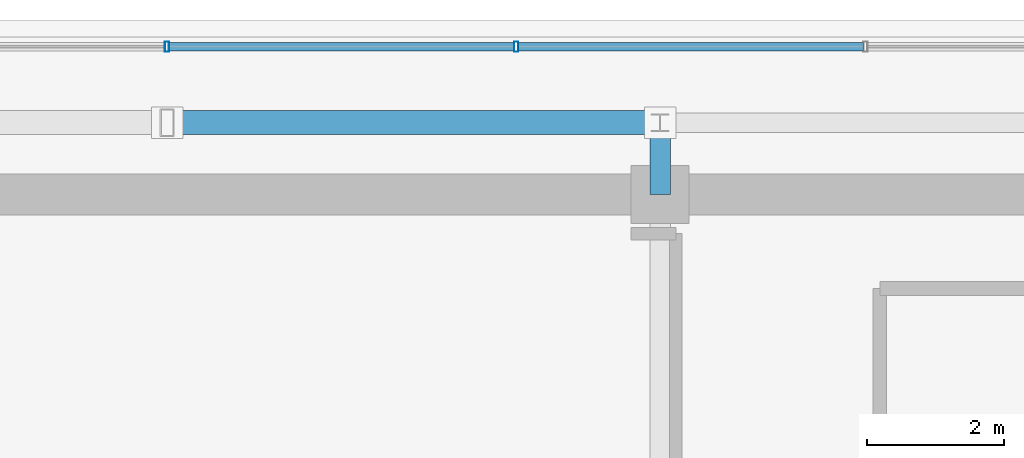
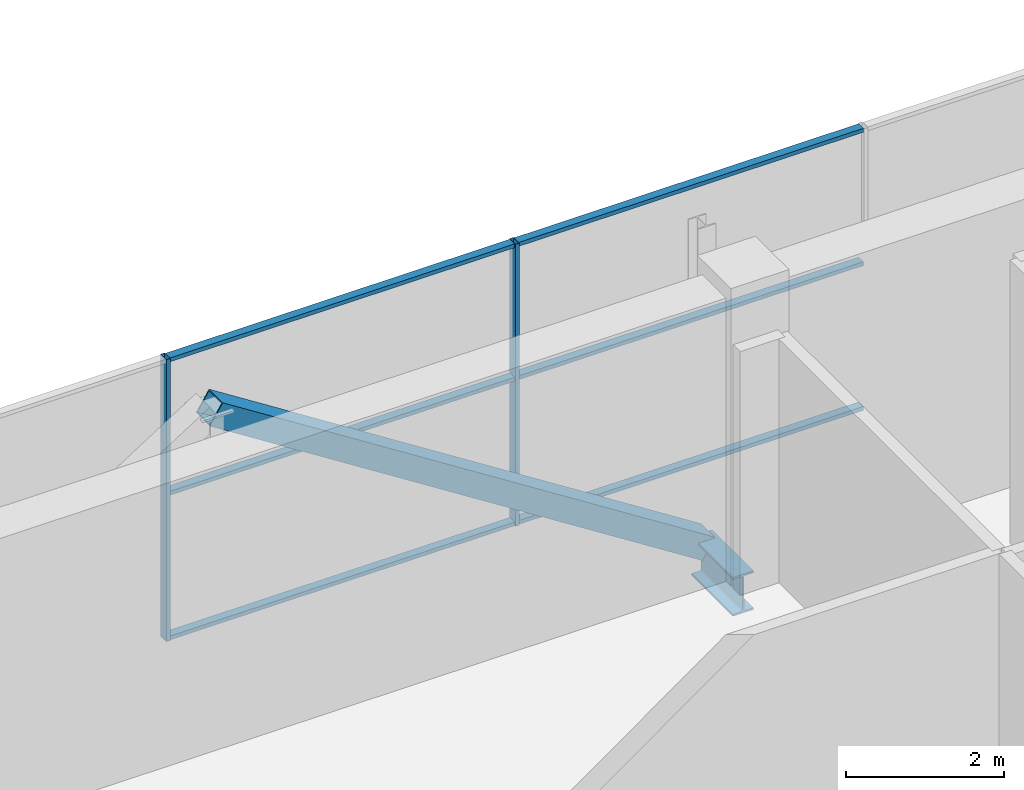
# One storey, part 18 of 28: 9 members, 1 beam, 1 element without a shape of its own.
"""IFC4 building model written with IfcOpenShell, lengths in metres."""

from ifc_helpers import new_model, si_unit, direction, frame, origin, origin_2d, place, context, subcontext, project, spatial, hollow_rectangle, i_section, extrude, source, transform, mapped, material, layer, layer_set, material_profile, profile_set, type_object, element, aggregate, save


model = new_model("IFC4")

# Units and contexts
model_context = context("Model", 3, precision=1e-05, world=origin(), true_north=direction((0.0, 1.0)))
body_context = subcontext(model_context, "Body", "Model", "MODEL_VIEW")
ifc_project = project(units=[si_unit("LENGTHUNIT", "METRE"), si_unit("AREAUNIT", "SQUARE_METRE"), si_unit("VOLUMEUNIT", "CUBIC_METRE"), si_unit("PLANEANGLEUNIT", "RADIAN"), si_unit("MASSUNIT", "GRAM", prefix="KILO")], contexts=[model_context])

# Site, building, storey
site_placement = place(None, origin())
site = spatial("IfcSite", under=ifc_project, at=site_placement, CompositionType="ELEMENT")
building_placement = place(site_placement, origin())
building = spatial("IfcBuilding", under=site, at=building_placement, Name="Zarnakvel Exchange Tower", CompositionType="ELEMENT")
storey_placement = place(building_placement, frame((0.0, 0.0, 290.0)))
storey = spatial("IfcBuildingStorey", under=building, at=storey_placement, Name="Crown L81", CompositionType="ELEMENT", Elevation=290.0)

# Beam
ifc_material_1 = material(Name="Steel S355", Category="steel")
ifc_material_profile_1 = material_profile(ifc_material_1, i_section(OverallWidth=0.300048828125, OverallDepth=0.60009765625, WebThickness=0.015380859375, FlangeThickness=0.030029296875, FilletRadius=0.027099609375, at=origin_2d()))
ifc_profile_set_1 = profile_set([ifc_material_profile_1], Name="Steel S355")
beam_type = type_object("IfcBeamType", Name="G-04", PredefinedType="BEAM", material=ifc_profile_set_1)
beam_placement = place(storey_placement, frame((7.199951171875, 13.5, -0.52001953125), z_axis=(0.0, 1.0, 0.0), x_axis=(-1.0, 0.0, 0.0)))
element("IfcBeam", 1, at=beam_placement, inside=storey, type_object=beam_type, Name="Crown L81 Tower N-S Frame Beam", PredefinedType="BEAM", context=body_context, shape_type="SweptSolid", body=[
    extrude(i_section(OverallWidth=0.300048828125, OverallDepth=0.60009765625, WebThickness=0.015380859375, FlangeThickness=0.030029296875, FilletRadius=0.027099609375, at=origin_2d()), origin(), (0.0, 0.0, 1.0), 1.050048828125),
])

# Member
ifc_material_profile_2 = material_profile(ifc_material_1, hollow_rectangle(XDim=0.35009765625, YDim=0.35009765625, WallThickness=0.01611328125, at=origin_2d()))
ifc_profile_set_2 = profile_set([ifc_material_profile_2], Name="Steel S355")
member_type_1 = type_object("IfcMemberType", Name="CB-BR1", PredefinedType="BRACE", material=ifc_profile_set_2)
shared_shape_1 = source(origin(), body_context, "Body", "SweptSolid", [
    extrude(hollow_rectangle(XDim=0.35009765625, YDim=0.35009765625, WallThickness=0.01611328125, at=origin_2d()), origin(), (0.0, 0.0, 1.0), 8.5439453125),
])
member_1_placement = place(storey_placement, frame((7.199951171875, 14.550048828125, -0.360107421875), z_axis=(-0.842689417531, 0.0, 0.53839998661), x_axis=(0.0, -1.0, 0.0)))
element("IfcMember", 2, at=member_1_placement, inside=storey, type_object=member_type_1, Name="Crown L81 Crown Chevron Brace R (CB-BR1)", PredefinedType="BRACE", context=body_context, shape_type="MappedRepresentation", body=[
    mapped(shared_shape_1, transform((0.0, 0.0, 0.0), x_axis=(1.0, 0.0, 0.0), y_axis=(0.0, 1.0, 0.0), z_axis=(0.0, 0.0, 1.0), scale=1.0)),
])

# Curtain wall, members
ifc_material_2 = material(Name="Architectural Bronze Anodised Aluminium", Category="aluminium")
ifc_layer = layer(ifc_material_2, 0.14990234375)
ifc_layer_set = layer_set([ifc_layer], Name="Architectural Bronze Anodised Aluminium")
curtain_wall_type = type_object("IfcCurtainWallType", Name="CW-07", PredefinedType="NOTDEFINED", material=ifc_layer_set)
curtain_wall_placement = place(storey_placement, origin())
curtain_wall = element("IfcCurtainWall", 3, at=curtain_wall_placement, inside=storey, type_object=curtain_wall_type, Name="Crown L81 Curtain Wall CW-Crown L81-N (CW-07)", PredefinedType="NOTDEFINED")
ifc_material_profile_3 = material_profile(ifc_material_2, hollow_rectangle(XDim=0.14990234375, YDim=0.06005859375, WallThickness=0.00390625, at=origin_2d()))
ifc_profile_set_3 = profile_set([ifc_material_profile_3], Name="Architectural Bronze Anodised Aluminium")
member_type_2 = type_object("IfcMemberType", Name="CWM-07", PredefinedType="MULLION", material=ifc_profile_set_3)
shared_shape_2 = source(origin(), body_context, "Body", "SweptSolid", [
    extrude(hollow_rectangle(XDim=0.14990234375, YDim=0.06005859375, WallThickness=0.00390625, at=origin_2d()), origin(), (0.0, 0.0, 1.0), 4.360107421875),
])
member_2_placement = place(storey_placement, frame((0.0, 15.659912109375, 0.0), z_axis=(0.0, 0.0, 1.0), x_axis=(0.0, 1.0, 0.0)))
member_2 = element("IfcMember", 4, at=member_2_placement, type_object=member_type_2, Name="CW-07 mullion 4", PredefinedType="MULLION", context=body_context, shape_type="MappedRepresentation", body=[
    mapped(shared_shape_2, transform((0.0, 0.0, 0.0), x_axis=(1.0, 0.0, 0.0), y_axis=(0.0, 1.0, 0.0), z_axis=(0.0, 0.0, 1.0), scale=1.0)),
])
member_3_placement = place(storey_placement, frame((5.10009765625, 15.659912109375, 0.0), z_axis=(0.0, 0.0, 1.0), x_axis=(0.0, 1.0, 0.0)))
member_3 = element("IfcMember", 5, at=member_3_placement, type_object=member_type_2, Name="CW-07 mullion 5", PredefinedType="MULLION", context=body_context, shape_type="MappedRepresentation", body=[
    mapped(shared_shape_2, transform((0.0, 0.0, 0.0), x_axis=(1.0, 0.0, 0.0), y_axis=(0.0, 1.0, 0.0), z_axis=(0.0, 0.0, 1.0), scale=1.0)),
])
ifc_material_profile_4 = material_profile(ifc_material_2, hollow_rectangle(XDim=0.1201171875, YDim=0.06005859375, WallThickness=0.00390625, at=origin_2d()))
ifc_profile_set_4 = profile_set([ifc_material_profile_4], Name="Architectural Bronze Anodised Aluminium")
member_type_3 = type_object("IfcMemberType", Name="CWT-07", PredefinedType="USERDEFINED", material=ifc_profile_set_4)
shared_shape_3 = source(origin(), body_context, "Body", "SweptSolid", [
    extrude(hollow_rectangle(XDim=0.1201171875, YDim=0.06005859375, WallThickness=0.00390625, at=origin_2d()), origin(), (0.0, 0.0, 1.0), 5.0400390625),
])
member_4_placement = place(storey_placement, frame((0.030029296875, 15.659912109375, 0.030029296875), z_axis=(1.0, 0.0, 0.0), x_axis=(0.0, 1.0, 0.0)))
member_4 = element("IfcMember", 6, at=member_4_placement, type_object=member_type_3, Name="CW-07 transom 4.1", ObjectType="TRANSOM", PredefinedType="USERDEFINED", context=body_context, shape_type="MappedRepresentation", body=[
    mapped(shared_shape_3, transform((0.0, 0.0, 0.0), x_axis=(1.0, 0.0, 0.0), y_axis=(0.0, 1.0, 0.0), z_axis=(0.0, 0.0, 1.0), scale=1.0)),
])
member_5_placement = place(storey_placement, frame((0.030029296875, 15.659912109375, 2.26708984375), z_axis=(1.0, 0.0, 0.0), x_axis=(0.0, 1.0, 0.0)))
member_5 = element("IfcMember", 7, at=member_5_placement, type_object=member_type_3, Name="CW-07 transom 4.2", ObjectType="TRANSOM", PredefinedType="USERDEFINED", context=body_context, shape_type="MappedRepresentation", body=[
    mapped(shared_shape_3, transform((0.0, 0.0, 0.0), x_axis=(1.0, 0.0, 0.0), y_axis=(0.0, 1.0, 0.0), z_axis=(0.0, 0.0, 1.0), scale=1.0)),
])
member_6_placement = place(storey_placement, frame((0.030029296875, 15.659912109375, 4.330078125), z_axis=(1.0, 0.0, 0.0), x_axis=(0.0, 1.0, 0.0)))
member_6 = element("IfcMember", 8, at=member_6_placement, type_object=member_type_3, Name="CW-07 transom 4.3", ObjectType="TRANSOM", PredefinedType="USERDEFINED", context=body_context, shape_type="MappedRepresentation", body=[
    mapped(shared_shape_3, transform((0.0, 0.0, 0.0), x_axis=(1.0, 0.0, 0.0), y_axis=(0.0, 1.0, 0.0), z_axis=(0.0, 0.0, 1.0), scale=1.0)),
])
member_7_placement = place(storey_placement, frame((5.1298828125, 15.659912109375, 0.030029296875), z_axis=(1.0, 0.0, 0.0), x_axis=(0.0, 1.0, 0.0)))
member_7 = element("IfcMember", 9, at=member_7_placement, type_object=member_type_3, Name="CW-07 transom 5.1", ObjectType="TRANSOM", PredefinedType="USERDEFINED", context=body_context, shape_type="MappedRepresentation", body=[
    mapped(shared_shape_3, transform((0.0, 0.0, 0.0), x_axis=(1.0, 0.0, 0.0), y_axis=(0.0, 1.0, 0.0), z_axis=(0.0, 0.0, 1.0), scale=1.0)),
])
member_8_placement = place(storey_placement, frame((5.1298828125, 15.659912109375, 2.26708984375), z_axis=(1.0, 0.0, 0.0), x_axis=(0.0, 1.0, 0.0)))
member_8 = element("IfcMember", 10, at=member_8_placement, type_object=member_type_3, Name="CW-07 transom 5.2", ObjectType="TRANSOM", PredefinedType="USERDEFINED", context=body_context, shape_type="MappedRepresentation", body=[
    mapped(shared_shape_3, transform((0.0, 0.0, 0.0), x_axis=(1.0, 0.0, 0.0), y_axis=(0.0, 1.0, 0.0), z_axis=(0.0, 0.0, 1.0), scale=1.0)),
])
member_9_placement = place(storey_placement, frame((5.1298828125, 15.659912109375, 4.330078125), z_axis=(1.0, 0.0, 0.0), x_axis=(0.0, 1.0, 0.0)))
member_9 = element("IfcMember", 11, at=member_9_placement, type_object=member_type_3, Name="CW-07 transom 5.3", ObjectType="TRANSOM", PredefinedType="USERDEFINED", context=body_context, shape_type="MappedRepresentation", body=[
    mapped(shared_shape_3, transform((0.0, 0.0, 0.0), x_axis=(1.0, 0.0, 0.0), y_axis=(0.0, 1.0, 0.0), z_axis=(0.0, 0.0, 1.0), scale=1.0)),
])
aggregate(curtain_wall, [member_2, member_3, member_4, member_5, member_6, member_7, member_8, member_9])

save(model, "model.ifc")
